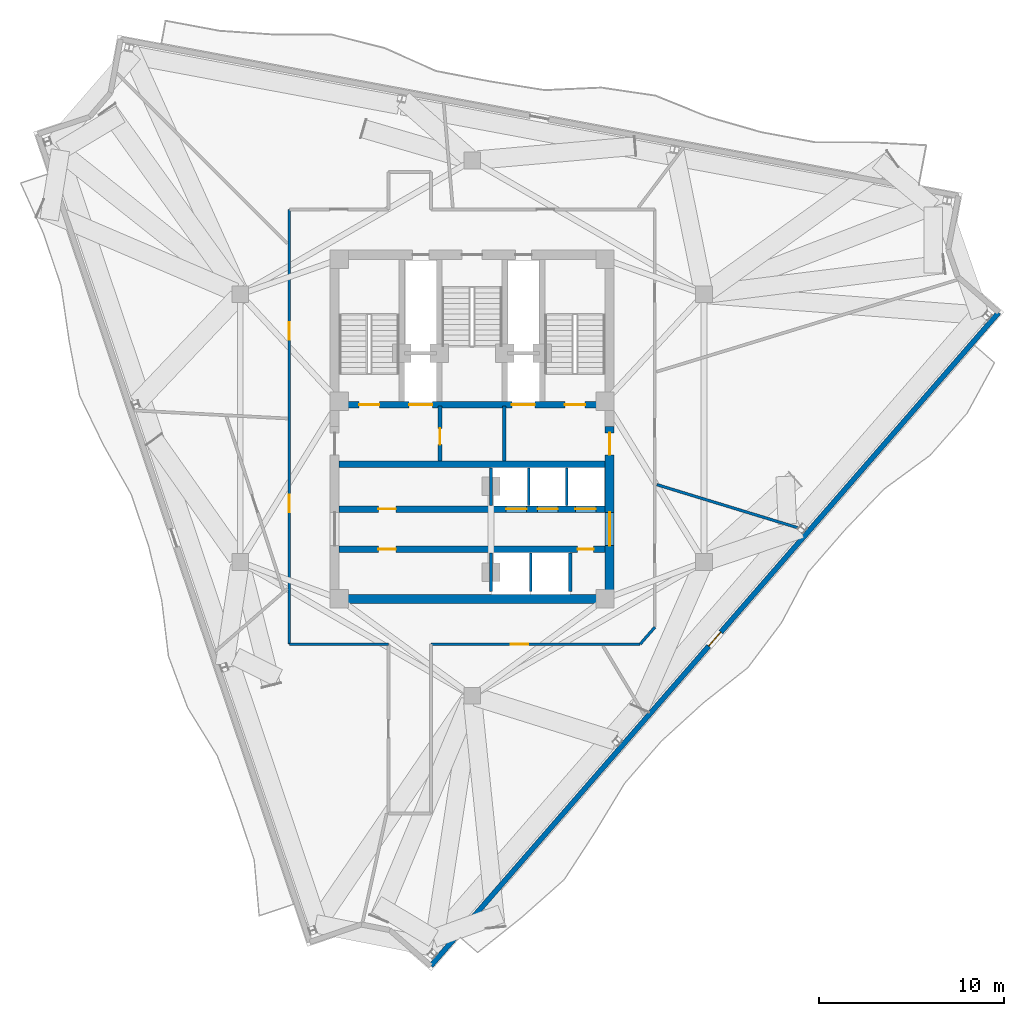
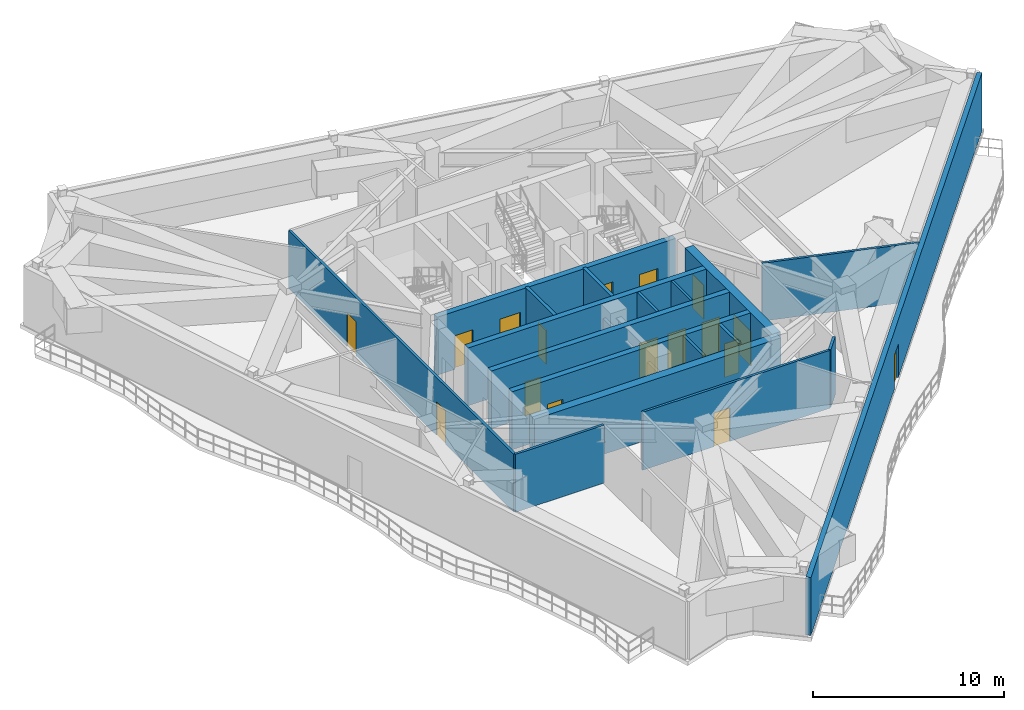
# One storey, part 5 of 10: 20 walls, 17 doors, 17 openings.
"""IFC4 building model written with IfcOpenShell, lengths in metres."""

import ifcopenshell
import ifcopenshell.guid

model = None  # the IFC model being written
_history = None  # IfcOwnerHistory: only IFC2X3 demands one
_inside = {}  # id of a spatial element -> (the spatial element, [elements in it])
_under = {}  # id of a project, library or spatial element -> (it, [spatial elements below it])
_declared = {}  # id of a project -> (the project, [libraries it declares])
_typed = {}  # id of a type object -> (the type object, [elements of that type])
_made_of = {}  # id of a material, layer set ... -> (it, [elements and type objects made of it])


def new_model(schema):
    """Start an empty IFC model of exactly this schema.

    Asked for "IFC4X3", IfcOpenShell would pick the latest addendum, in which some entities
    have other attributes; the version numbers below select the first issue.
    IFC2X3 requires an IfcOwnerHistory on every rooted entity: one is made here for all.
    """
    global model, _history
    if schema == "IFC4X3":
        model = ifcopenshell.file(schema_version=(4, 3, 0, 0))
    else:
        model = ifcopenshell.file(schema=schema)
    _inside.clear()
    _under.clear()
    _declared.clear()
    _typed.clear()
    _made_of.clear()
    _history = None
    if model.schema == "IFC2X3":
        org = make("IfcOrganization", Name="unknown")
        user = make(
            "IfcPersonAndOrganization",
            ThePerson=make("IfcPerson", FamilyName="unknown"),
            TheOrganization=org,
        )
        app = make(
            "IfcApplication",
            ApplicationDeveloper=org,
            Version="unknown",
            ApplicationFullName="unknown",
            ApplicationIdentifier="unknown",
        )
        _history = make(
            "IfcOwnerHistory",
            OwningUser=user,
            OwningApplication=app,
            ChangeAction="ADDED",
            CreationDate=0,
        )
    return model


def make(cls, **values):
    """One entity of the class cls with the attributes given. An attribute that is None is left unset."""
    return model.create_entity(
        cls, **{name: value for name, value in values.items() if value is not None}
    )


def rooted(cls, **values):
    """An entity with a GlobalId (a new one), such as an element, a storey or a relation."""
    return make(cls, GlobalId=ifcopenshell.guid.new(), OwnerHistory=_history, **values)


def si_unit(unit_type, name, prefix=None):
    """IfcSIUnit, for example si_unit("LENGTHUNIT", "METRE", prefix="MILLI")."""
    return make("IfcSIUnit", UnitType=unit_type, Prefix=prefix, Name=name)


def assignment(units):
    """IfcUnitAssignment: the units of a project."""
    return None if units is None else make("IfcUnitAssignment", Units=units)


def point(xyz):
    """IfcCartesianPoint."""
    return None if xyz is None else make("IfcCartesianPoint", Coordinates=xyz)


def direction(xyz):
    """IfcDirection."""
    return None if xyz is None else make("IfcDirection", DirectionRatios=xyz)


def frame(location, z_axis=None, x_axis=None):
    """IfcAxis2Placement3D, a coordinate frame: its origin and axes. An axis left out is left unset."""
    return make(
        "IfcAxis2Placement3D",
        Location=point(location),
        Axis=direction(z_axis),
        RefDirection=direction(x_axis),
    )


def frame_2d(location, x_axis=None):
    """IfcAxis2Placement2D, a coordinate frame in the plane: its origin and x axis."""
    return make(
        "IfcAxis2Placement2D", Location=point(location), RefDirection=direction(x_axis)
    )


def origin():
    """The frame at (0, 0, 0) with its axes left unset."""
    return frame((0.0, 0.0, 0.0))


def place(relative_to, where):
    """IfcLocalPlacement: puts the frame where relative to a parent placement (None: the world)."""
    return make(
        "IfcLocalPlacement", PlacementRelTo=relative_to, RelativePlacement=where
    )


def context(
    kind, dimensions, precision=None, world=None, true_north=None, identifier=None
):
    """IfcGeometricRepresentationContext, for example the 3D "Model" context."""
    return make(
        "IfcGeometricRepresentationContext",
        ContextIdentifier=identifier,
        ContextType=kind,
        CoordinateSpaceDimension=dimensions,
        Precision=precision,
        WorldCoordinateSystem=world,
        TrueNorth=true_north,
    )


def subcontext(parent, identifier, kind, view, scale=None):
    """IfcGeometricRepresentationSubContext, for example "Body" below "Model"."""
    return make(
        "IfcGeometricRepresentationSubContext",
        ContextIdentifier=identifier,
        ContextType=kind,
        ParentContext=parent,
        TargetScale=scale,
        TargetView=view,
    )


def project(units=None, contexts=None):
    """IfcProject with its units and contexts."""
    return rooted(
        "IfcProject",
        Name="project",
        RepresentationContexts=contexts,
        UnitsInContext=assignment(units),
    )


def spatial(cls, under=None, at=None, **own):
    """A site, building, storey or space (cls), placed at a placement, below another one or the project."""
    s = rooted(cls, ObjectPlacement=at, **own)
    if under is not None:
        _under.setdefault(under.id(), (under, []))[1].append(s)
    return s


def profile(cls, at=None, kind="AREA", **sizes):
    """A parametric profile (cls). Its sizes go by their IFC names, for example OverallWidth=200.0."""
    return make(cls, ProfileType=kind, Position=at, **sizes)


def rectangle(**sizes):
    """IfcRectangleProfileDef."""
    return profile("IfcRectangleProfileDef", **sizes)


def extrude(swept, where, along, depth):
    """IfcExtrudedAreaSolid: the profile swept, set in the frame where, extruded along a direction by depth."""
    return make(
        "IfcExtrudedAreaSolid",
        SweptArea=swept,
        Position=where,
        ExtrudedDirection=direction(along),
        Depth=depth,
    )


def shape(context_of_items, identifier, shape_type, items):
    """IfcShapeRepresentation: the items that make up one representation, for example the "Body"."""
    return make(
        "IfcShapeRepresentation",
        ContextOfItems=context_of_items,
        RepresentationIdentifier=identifier,
        RepresentationType=shape_type,
        Items=items,
    )


def material(Name=None, Category=None):
    """IfcMaterial."""
    return make("IfcMaterial", Name=Name, Category=Category)


def layer(
    of_material, thickness, ventilated=None, Name=None, Category=None, Priority=None
):
    """IfcMaterialLayer: one layer of a wall or slab, of a material (None: an air gap)."""
    return make(
        "IfcMaterialLayer",
        Material=of_material,
        LayerThickness=thickness,
        IsVentilated=ventilated,
        Name=Name,
        Category=Category,
        Priority=Priority,
    )


def layer_set(layers, Name=None):
    """IfcMaterialLayerSet."""
    return make("IfcMaterialLayerSet", MaterialLayers=layers, LayerSetName=Name)


def made_of(thing, what):
    """Note that an element or type object is made of a material, layer set ...; save() writes the relation."""
    if what is not None:
        _made_of.setdefault(what.id(), (what, []))[1].append(thing)
    return thing


def type_object(cls, material=None, **own):
    """A type object (cls), such as IfcWallType, which elements share."""
    return made_of(rooted(cls, **own), material)


def element(
    cls,
    number,
    at=None,
    inside=None,
    cuts=None,
    type_object=None,
    material=None,
    context=None,
    identifier="Body",
    shape_type=None,
    held_by="IfcProductDefinitionShape",
    body=None,
    shapes=None,
    **own,
):
    """One element of the class cls, such as IfcWall. Its Tag is "e" and its number.

    at: its placement. inside: the storey or other place that contains it. cuts: it is an
    opening in that element (IfcRelVoidsElement). A single representation is given by context,
    identifier, shape_type and body (its items); several are given by shapes. held_by: the class
    of the entity that holds the representations. save() writes the other relations.
    """
    e = rooted(cls, Tag="e%d" % number, ObjectPlacement=at, **own)
    if body is not None:
        shapes = [shape(context, identifier, shape_type, body)]
    if shapes is not None:
        e.Representation = make(held_by, Representations=shapes)
    if inside is not None:
        _inside.setdefault(inside.id(), (inside, []))[1].append(e)
    if cuts is not None:
        rooted(
            "IfcRelVoidsElement", RelatingBuildingElement=cuts, RelatedOpeningElement=e
        )
    if type_object is not None:
        _typed.setdefault(type_object.id(), (type_object, []))[1].append(e)
    return made_of(e, material)


def fill(opening, filler):
    """IfcRelFillsElement: the door or window that sits in an opening."""
    return rooted(
        "IfcRelFillsElement",
        RelatingOpeningElement=opening,
        RelatedBuildingElement=filler,
    )


def aggregate(whole, parts):
    """IfcRelAggregates: a whole, such as a stair, and the parts it consists of."""
    return rooted("IfcRelAggregates", RelatingObject=whole, RelatedObjects=parts)


def save(model, path):
    """Write the relations noted so far, then the file.

    IfcRelAggregates (storeys below a building ...), IfcRelContainedInSpatialStructure (elements
    in a storey), IfcRelDefinesByType, IfcRelAssociatesMaterial and IfcRelDeclares: one each for
    every whole, place, type object, material and project.
    """
    for whole, parts in _under.values():
        aggregate(whole, parts)
    for where, things in _inside.values():
        rooted(
            "IfcRelContainedInSpatialStructure",
            RelatedElements=things,
            RelatingStructure=where,
        )
    for kind, things in _typed.values():
        rooted("IfcRelDefinesByType", RelatedObjects=things, RelatingType=kind)
    for what, things in _made_of.values():
        rooted("IfcRelAssociatesMaterial", RelatedObjects=things, RelatingMaterial=what)
    for by, libraries in _declared.values():
        rooted("IfcRelDeclares", RelatingContext=by, RelatedDefinitions=libraries)
    model.write(path)


model = new_model("IFC4")

# Units and contexts
model_context = context("Model", 3, precision=1e-05, world=origin(), true_north=direction((0.0, 1.0)))
body_context = subcontext(model_context, "Body", "Model", "MODEL_VIEW")
ifc_project = project(units=[si_unit("LENGTHUNIT", "METRE"), si_unit("AREAUNIT", "SQUARE_METRE"), si_unit("VOLUMEUNIT", "CUBIC_METRE"), si_unit("PLANEANGLEUNIT", "RADIAN"), si_unit("MASSUNIT", "GRAM", prefix="KILO")], contexts=[model_context])

# Site, building, storey
site_placement = place(None, origin())
site = spatial("IfcSite", under=ifc_project, at=site_placement, CompositionType="ELEMENT")
building_placement = place(site_placement, origin())
building = spatial("IfcBuilding", under=site, at=building_placement, Name="Apsidion Concourse Tower", CompositionType="ELEMENT")
storey_placement = place(building_placement, frame((0.0, 0.0, 290.10009765625)))
storey = spatial("IfcBuildingStorey", under=building, at=storey_placement, Name="L68", CompositionType="ELEMENT", Elevation=290.10009765625)

# Wall, opening, door
ifc_material_1 = material(Name="Precast concrete C40/50", Category="concrete")
ifc_layer_1 = layer(ifc_material_1, 0.280029296875)
ifc_layer_set_1 = layer_set([ifc_layer_1], Name="Precast concrete C40/50")
wall_type_1 = type_object("IfcWallType", Name="WL-EXT-280", PredefinedType="STANDARD", material=ifc_layer_set_1)
wall_1_placement = place(storey_placement, frame((28.531494140625, 6.267578125, 0.0), z_axis=(0.0, 0.0, 1.0), x_axis=(-0.656055748756, -0.754712431674, 0.0)))
wall_1 = element("IfcWall", 1, at=wall_1_placement, inside=storey, type_object=wall_type_1, Name="L68 Precast Stone Facade Wall 05", PredefinedType="STANDARD", context=body_context, shape_type="SweptSolid", body=[
    extrude(rectangle(XDim=46.89697265625, YDim=0.280029296875, at=frame_2d((23.448486328125, 0.0))), origin(), (0.0, 0.0, 1.0), 3.699951171875),
])
opening_1_placement = place(wall_1_placement, frame((22.948486328125, 0.0, 0.0)))
opening_1 = element("IfcOpeningElement", 2, at=opening_1_placement, cuts=wall_1, Name="Opening D-T1R", PredefinedType="OPENING", context=body_context, shape_type="SweptSolid", body=[
    extrude(rectangle(XDim=1.0, YDim=2.14990234375, at=frame_2d((0.5, 1.074951171875))), frame((0.0, 0.14990234375, 0.0), z_axis=(0.0, -1.0, 0.0), x_axis=(1.0, 0.0, 0.0)), (0.0, 0.0, 1.0), 0.300048828125),
])
ifc_material_2 = material(Name="Anodised aluminium EN AW-6063 T6", Category="aluminium")
door_type_1 = type_object("IfcDoorType", Name="DR-TER-1022R", OperationType="SINGLE_SWING_RIGHT", PredefinedType="DOOR", material=ifc_material_2)
door_1_placement = place(opening_1_placement, origin())
door_1 = element("IfcDoor", 3, at=door_1_placement, inside=storey, type_object=door_type_1, Name="L68 Balcony Access Door 2", OperationType="SINGLE_SWING_RIGHT", OverallHeight=2.14990234375, OverallWidth=1.0, PredefinedType="DOOR", context=body_context, shape_type="SweptSolid", body=[
    extrude(rectangle(XDim=1.0, YDim=2.14990234375, at=frame_2d((0.5, 1.074951171875))), frame((0.0, 0.02490234375, 0.0), z_axis=(0.0, -1.0, 0.0), x_axis=(1.0, 0.0, 0.0)), (0.0, 0.0, 1.0), 0.050048828125),
])
fill(opening_1, door_1)

# Walls
ifc_material_3 = material(Name="Gypsum plasterboard partition")
ifc_layer_2 = layer(ifc_material_3, 0.14990234375)
ifc_layer_set_2 = layer_set([ifc_layer_2], Name="Gypsum plasterboard partition")
wall_type_2 = type_object("IfcWallType", Name="WL-INT-PAR-150", PredefinedType="PARTITIONING", material=ifc_layer_set_2)
for number, where, z_axis, x_axis, name in (
    (4, (3.074951171875, -4.179931640625, 0.0), (0.0, 0.0, 1.0), (0.0, 1.0, 0.0), "L68 Interior Partition WL-L68-B3DIV-1"),
    (5, (5.125, -4.179931640625, 0.0), (0.0, 0.0, 1.0), (0.0, 1.0, 0.0), "L68 Interior Partition WL-L68-B3DIV-2"),
):
    element("IfcWall", number, at=place(storey_placement, frame(where, z_axis=z_axis, x_axis=x_axis)), inside=storey, type_object=wall_type_2, Name=name, PredefinedType="PARTITIONING", context=body_context, shape_type="SweptSolid", body=[
        extrude(rectangle(XDim=2.030029296875, YDim=0.14990234375, at=frame_2d((1.01513671875, 0.0))), origin(), (0.0, 0.0, 1.0), 3.699951171875),
    ])
wall_2_placement = place(storey_placement, frame((3.175048828125, -8.85009765625, 0.0), z_axis=(0.0, 0.0, 1.0), x_axis=(0.0, 1.0, 0.0)))
element("IfcWall", 6, at=wall_2_placement, inside=storey, type_object=wall_type_2, Name="L68 Interior Partition WL-L68-SHDIV-1", PredefinedType="PARTITIONING", context=body_context, shape_type="SweptSolid", body=[
    extrude(rectangle(XDim=2.080078125, YDim=0.14990234375, at=frame_2d((1.0400390625, 0.0))), origin(), (0.0, 0.0, 1.0), 3.699951171875),
])
wall_3_placement = place(storey_placement, frame((-4.530029296875, -11.699951171875, 0.0), z_axis=(0.0, 0.0, 1.0), x_axis=(-1.0, 0.0, 0.0)))
element("IfcWall", 7, at=wall_3_placement, inside=storey, type_object=wall_type_2, Name="L68 Interior Partition WL-L68-CORR-01", PredefinedType="PARTITIONING", context=body_context, shape_type="SweptSolid", body=[
    extrude(rectangle(XDim=5.369873046875, YDim=0.14990234375, at=frame_2d((2.68505859375, 0.0))), origin(), (0.0, 0.0, 1.0), 3.699951171875),
])

# Wall, openings, doors
wall_4_placement = place(storey_placement, frame((-9.89990234375, -11.699951171875, 0.0), z_axis=(0.0, 0.0, 1.0), x_axis=(0.0, 1.0, 0.0)))
wall_4 = element("IfcWall", 8, at=wall_4_placement, inside=storey, type_object=wall_type_2, Name="L68 Interior Partition WL-L68-CORR-02", PredefinedType="PARTITIONING", context=body_context, shape_type="SweptSolid", body=[
    extrude(rectangle(XDim=23.550048828125, YDim=0.14990234375, at=frame_2d((11.77490234375, 0.0))), origin(), (0.0, 0.0, 1.0), 3.699951171875),
])
opening_2_placement = place(wall_4_placement, frame((7.136474609375, 0.0, 0.0)))
opening_2 = element("IfcOpeningElement", 9, at=opening_2_placement, cuts=wall_4, Name="Opening D-01L", PredefinedType="OPENING", context=body_context, shape_type="SweptSolid", body=[
    extrude(rectangle(XDim=0.949951171875, YDim=2.14990234375, at=frame_2d((0.47509765625, 1.074951171875))), frame((0.0, 0.0849609375, 0.0), z_axis=(0.0, -1.0, 0.0), x_axis=(1.0, 0.0, 0.0)), (0.0, 0.0, 1.0), 0.169921875),
])
opening_3_placement = place(wall_4_placement, frame((16.4951171875, 0.0, 0.0)))
opening_3 = element("IfcOpeningElement", 10, at=opening_3_placement, cuts=wall_4, Name="Opening D-01L", PredefinedType="OPENING", context=body_context, shape_type="SweptSolid", body=[
    extrude(rectangle(XDim=0.949951171875, YDim=2.14990234375, at=frame_2d((0.47509765625, 1.074951171875))), frame((0.0, 0.0849609375, 0.0), z_axis=(0.0, -1.0, 0.0), x_axis=(1.0, 0.0, 0.0)), (0.0, 0.0, 1.0), 0.169921875),
])
ifc_material_4 = material(Name="Brushed stainless steel 316", Category="steel")
door_type_2 = type_object("IfcDoorType", Name="DR-INT-D01L", OperationType="SINGLE_SWING_LEFT", PredefinedType="DOOR", material=ifc_material_4)
door_2_placement = place(opening_2_placement, origin())
door_2 = element("IfcDoor", 11, at=door_2_placement, inside=storey, type_object=door_type_2, Name="L68 Corridor Entry Door 01", OperationType="SINGLE_SWING_LEFT", OverallHeight=2.14990234375, OverallWidth=0.949951171875, PredefinedType="DOOR", context=body_context, shape_type="SweptSolid", body=[
    extrude(rectangle(XDim=0.949951171875, YDim=2.14990234375, at=frame_2d((0.47509765625, 1.074951171875))), frame((0.0, 0.02490234375, 0.0), z_axis=(0.0, -1.0, 0.0), x_axis=(1.0, 0.0, 0.0)), (0.0, 0.0, 1.0), 0.050048828125),
])
fill(opening_2, door_2)
door_3_placement = place(opening_3_placement, origin())
door_3 = element("IfcDoor", 12, at=door_3_placement, inside=storey, type_object=door_type_2, Name="L68 Corridor Entry Door 09", OperationType="SINGLE_SWING_LEFT", OverallHeight=2.14990234375, OverallWidth=0.949951171875, PredefinedType="DOOR", context=body_context, shape_type="SweptSolid", body=[
    extrude(rectangle(XDim=0.949951171875, YDim=2.14990234375, at=frame_2d((0.47509765625, 1.074951171875))), frame((0.0, 0.02490234375, 0.0), z_axis=(0.0, -1.0, 0.0), x_axis=(1.0, 0.0, 0.0)), (0.0, 0.0, 1.0), 0.050048828125),
])
fill(opening_3, door_3)

# Wall
wall_5_placement = place(storey_placement, frame((9.89990234375, -10.783447265625, 0.0), z_axis=(0.0, 0.0, 1.0), x_axis=(-0.656024397367, -0.754739683639, 0.0)))
element("IfcWall", 13, at=wall_5_placement, inside=storey, type_object=wall_type_2, Name="L68 Interior Partition WL-L68-CORR-09", PredefinedType="PARTITIONING", context=body_context, shape_type="SweptSolid", body=[
    extrude(rectangle(XDim=1.21435546875, YDim=0.14990234375, at=frame_2d((0.607177734375, 0.0))), origin(), (0.0, 0.0, 1.0), 3.699951171875),
])

# Wall, opening, door
wall_6_placement = place(storey_placement, frame((9.103271484375, -11.699951171875, 0.0), z_axis=(0.0, 0.0, 1.0), x_axis=(-1.0, 0.0, 0.0)))
wall_6 = element("IfcWall", 14, at=wall_6_placement, inside=storey, type_object=wall_type_2, Name="L68 Interior Partition WL-L68-CORR-10", PredefinedType="PARTITIONING", context=body_context, shape_type="SweptSolid", body=[
    extrude(rectangle(XDim=11.3232421875, YDim=0.14990234375, at=frame_2d((5.66162109375, 0.0))), origin(), (0.0, 0.0, 1.0), 3.699951171875),
])
opening_4_placement = place(wall_6_placement, frame((6.068603515625, 0.0, 0.0)))
opening_4 = element("IfcOpeningElement", 15, at=opening_4_placement, cuts=wall_6, Name="Opening D-01L", PredefinedType="OPENING", context=body_context, shape_type="SweptSolid", body=[
    extrude(rectangle(XDim=0.949951171875, YDim=2.14990234375, at=frame_2d((0.47509765625, 1.074951171875))), frame((0.0, 0.0849609375, 0.0), z_axis=(0.0, -1.0, 0.0), x_axis=(1.0, 0.0, 0.0)), (0.0, 0.0, 1.0), 0.169921875),
])
door_4_placement = place(opening_4_placement, origin())
door_4 = element("IfcDoor", 16, at=door_4_placement, inside=storey, type_object=door_type_2, Name="L68 Corridor Entry Door 03", OperationType="SINGLE_SWING_LEFT", OverallHeight=2.14990234375, OverallWidth=0.949951171875, PredefinedType="DOOR", context=body_context, shape_type="SweptSolid", body=[
    extrude(rectangle(XDim=0.949951171875, YDim=2.14990234375, at=frame_2d((0.47509765625, 1.074951171875))), frame((0.0, 0.02490234375, 0.0), z_axis=(0.0, -1.0, 0.0), x_axis=(1.0, 0.0, 0.0)), (0.0, 0.0, 1.0), 0.050048828125),
])
fill(opening_4, door_4)

# Walls
wall_7_placement = place(storey_placement, frame((10.0048828125, -3.058837890625, 0.0), z_axis=(0.0, 0.0, 1.0), x_axis=(0.956307313921, -0.292363337887, 0.0)))
element("IfcWall", 17, at=wall_7_placement, inside=storey, type_object=wall_type_2, Name="L68 Interior Partition WL-L68-RAD-09-1", PredefinedType="PARTITIONING", context=body_context, shape_type="SweptSolid", body=[
    extrude(rectangle(XDim=8.438232421875, YDim=0.14990234375, at=frame_2d((4.21923828125, 0.0))), origin(), (0.0, 0.0, 1.0), 3.699951171875),
])
ifc_layer_3 = layer(ifc_material_3, 0.179931640625)
ifc_layer_set_3 = layer_set([ifc_layer_3], Name="Gypsum plasterboard partition")
wall_type_3 = type_object("IfcWallType", Name="WL-INT-PAR-180", PredefinedType="PARTITIONING", material=ifc_layer_set_3)
wall_8_placement = place(storey_placement, frame((1.02490234375, -4.179931640625, 0.0), z_axis=(0.0, 0.0, 1.0), x_axis=(0.0, 1.0, 0.0)))
element("IfcWall", 18, at=wall_8_placement, inside=storey, type_object=wall_type_3, Name="L68 Interior Partition WL-L68-B1END", PredefinedType="PARTITIONING", context=body_context, shape_type="SweptSolid", body=[
    extrude(rectangle(XDim=2.030029296875, YDim=0.179931640625, at=frame_2d((1.01513671875, 0.0))), origin(), (0.0, 0.0, 1.0), 2.747802734375),
])
wall_9_placement = place(storey_placement, frame((1.02490234375, -8.85009765625, 0.0), z_axis=(0.0, 0.0, 1.0), x_axis=(0.0, 1.0, 0.0)))
element("IfcWall", 19, at=wall_9_placement, inside=storey, type_object=wall_type_3, Name="L68 Interior Partition WL-L68-B2END", PredefinedType="PARTITIONING", context=body_context, shape_type="SweptSolid", body=[
    extrude(rectangle(XDim=2.080078125, YDim=0.179931640625, at=frame_2d((1.0400390625, 0.0))), origin(), (0.0, 0.0, 1.0), 2.747802734375),
])
wall_10_placement = place(storey_placement, frame((5.324951171875, -8.85009765625, 0.0), z_axis=(0.0, 0.0, 1.0), x_axis=(0.0, 1.0, 0.0)))
element("IfcWall", 20, at=wall_10_placement, inside=storey, type_object=wall_type_3, Name="L68 Interior Partition WL-L68-SHDIV-2", PredefinedType="PARTITIONING", context=body_context, shape_type="SweptSolid", body=[
    extrude(rectangle(XDim=2.080078125, YDim=0.179931640625, at=frame_2d((1.0400390625, 0.0))), origin(), (0.0, 0.0, 1.0), 3.699951171875),
])

# Wall, opening, door
ifc_layer_4 = layer(ifc_material_3, 0.199951171875)
ifc_layer_set_4 = layer_set([ifc_layer_4], Name="Gypsum plasterboard partition")
wall_type_4 = type_object("IfcWallType", Name="WL-INT-PAR-200", PredefinedType="PARTITIONING", material=ifc_layer_set_4)
wall_11_placement = place(storey_placement, frame((-1.739990234375, -1.780029296875, 0.0), z_axis=(0.0, 0.0, 1.0), x_axis=(0.0, 1.0, 0.0)))
wall_11 = element("IfcWall", 21, at=wall_11_placement, inside=storey, type_object=wall_type_4, Name="L68 Interior Partition WL-L68-FF1-E", PredefinedType="PARTITIONING", context=body_context, shape_type="SweptSolid", body=[
    extrude(rectangle(XDim=2.97998046875, YDim=0.199951171875, at=frame_2d((1.489990234375, 0.0))), origin(), (0.0, 0.0, 1.0), 3.699951171875),
])
opening_5_placement = place(wall_11_placement, frame((0.889892578125, 0.0, 0.0)))
opening_5 = element("IfcOpeningElement", 22, at=opening_5_placement, cuts=wall_11, Name="Opening D-05R", PredefinedType="OPENING", context=body_context, shape_type="SweptSolid", body=[
    extrude(rectangle(XDim=0.8798828125, YDim=2.14990234375, at=frame_2d((0.43994140625, 1.074951171875))), frame((0.0, 0.10986328125, 0.0), z_axis=(0.0, -1.0, 0.0), x_axis=(1.0, 0.0, 0.0)), (0.0, 0.0, 1.0), 0.219970703125),
])
door_type_3 = type_object("IfcDoorType", Name="DR-INT-D05R", OperationType="SINGLE_SWING_RIGHT", PredefinedType="DOOR", material=ifc_material_4)
door_5_placement = place(opening_5_placement, origin())
door_5 = element("IfcDoor", 23, at=door_5_placement, inside=storey, type_object=door_type_3, Name="L68 Core BMS Door", OperationType="SINGLE_SWING_RIGHT", OverallHeight=2.14990234375, OverallWidth=0.8798828125, PredefinedType="DOOR", context=body_context, shape_type="SweptSolid", body=[
    extrude(rectangle(XDim=0.8798828125, YDim=2.14990234375, at=frame_2d((0.43994140625, 1.074951171875))), frame((0.0, 0.02490234375, 0.0), z_axis=(0.0, -1.0, 0.0), x_axis=(1.0, 0.0, 0.0)), (0.0, 0.0, 1.0), 0.050048828125),
])
fill(opening_5, door_5)

# Wall
wall_12_placement = place(storey_placement, frame((1.739990234375, -1.780029296875, 0.0), z_axis=(0.0, 0.0, 1.0), x_axis=(0.0, 1.0, 0.0)))
element("IfcWall", 24, at=wall_12_placement, inside=storey, type_object=wall_type_4, Name="L68 Interior Partition WL-L68-FF2-W", PredefinedType="PARTITIONING", context=body_context, shape_type="SweptSolid", body=[
    extrude(rectangle(XDim=2.97998046875, YDim=0.199951171875, at=frame_2d((1.489990234375, 0.0))), origin(), (0.0, 0.0, 1.0), 3.699951171875),
])

# Wall, openings, doors
ifc_material_5 = material(Name="Concrete C50/60", Category="concrete")
ifc_layer_5 = layer(ifc_material_5, 0.35009765625)
ifc_layer_set_5 = layer_set([ifc_layer_5], Name="Concrete C50/60")
wall_type_5 = type_object("IfcWallType", Name="WL-SH-350", PredefinedType="SHEAR", material=ifc_layer_set_5)
wall_13_placement = place(storey_placement, frame((-7.199951171875, 1.27490234375, 0.0), z_axis=(0.0, 0.0, 1.0), x_axis=(1.0, 0.0, 0.0)))
wall_13 = element("IfcWall", 25, at=wall_13_placement, inside=storey, type_object=wall_type_5, Name="L68 Central Core Shear Wall M1", PredefinedType="SHEAR", context=body_context, shape_type="SweptSolid", body=[
    extrude(rectangle(XDim=14.39990234375, YDim=0.35009765625, at=frame_2d((7.199951171875, 0.0))), origin(), (0.0, 0.0, 1.0), 3.699951171875),
])
opening_6_placement = place(wall_13_placement, frame((3.794921875, 0.0, 0.0)))
opening_6 = element("IfcOpeningElement", 26, at=opening_6_placement, cuts=wall_13, Name="Opening LD-FF", PredefinedType="OPENING", context=body_context, shape_type="SweptSolid", body=[
    extrude(rectangle(XDim=1.25, YDim=2.25, at=frame_2d((0.625, 1.125))), frame((0.0, 0.18505859375, 0.0), z_axis=(0.0, -1.0, 0.0), x_axis=(1.0, 0.0, 0.0)), (0.0, 0.0, 1.0), 0.3701171875),
])
opening_7_placement = place(wall_13_placement, frame((9.35498046875, 0.0, 0.0)))
opening_7 = element("IfcOpeningElement", 27, at=opening_7_placement, cuts=wall_13, Name="Opening LD-FF", PredefinedType="OPENING", context=body_context, shape_type="SweptSolid", body=[
    extrude(rectangle(XDim=1.25, YDim=2.25, at=frame_2d((0.625, 1.125))), frame((0.0, 0.18505859375, 0.0), z_axis=(0.0, -1.0, 0.0), x_axis=(1.0, 0.0, 0.0)), (0.0, 0.0, 1.0), 0.3701171875),
])
opening_8_placement = place(wall_13_placement, frame((1.074951171875, 0.0, 0.0)))
opening_8 = element("IfcOpeningElement", 28, at=opening_8_placement, cuts=wall_13, Name="Opening D-STL", PredefinedType="OPENING", context=body_context, shape_type="SweptSolid", body=[
    extrude(rectangle(XDim=1.10009765625, YDim=2.14990234375, at=frame_2d((0.550048828125, 1.074951171875))), frame((0.0, 0.18505859375, 0.0), z_axis=(0.0, -1.0, 0.0), x_axis=(1.0, 0.0, 0.0)), (0.0, 0.0, 1.0), 0.3701171875),
])
opening_9_placement = place(wall_13_placement, frame((12.22509765625, 0.0, 0.0)))
opening_9 = element("IfcOpeningElement", 29, at=opening_9_placement, cuts=wall_13, Name="Opening D-STR", PredefinedType="OPENING", context=body_context, shape_type="SweptSolid", body=[
    extrude(rectangle(XDim=1.10009765625, YDim=2.14990234375, at=frame_2d((0.550048828125, 1.074951171875))), frame((0.0, 0.18505859375, 0.0), z_axis=(0.0, -1.0, 0.0), x_axis=(1.0, 0.0, 0.0)), (0.0, 0.0, 1.0), 0.3701171875),
])
door_type_4 = type_object("IfcDoorType", Name="DR-INT-ST1L", OperationType="SINGLE_SWING_LEFT", PredefinedType="DOOR", material=ifc_material_4)
door_6_placement = place(opening_8_placement, origin())
door_6 = element("IfcDoor", 30, at=door_6_placement, inside=storey, type_object=door_type_4, Name="L68 Core Exit Stair ST1 Door", OperationType="SINGLE_SWING_LEFT", OverallHeight=2.14990234375, OverallWidth=1.10009765625, PredefinedType="DOOR", context=body_context, shape_type="SweptSolid", body=[
    extrude(rectangle(XDim=1.10009765625, YDim=2.14990234375, at=frame_2d((0.550048828125, 1.074951171875))), frame((0.0, 0.02490234375, 0.0), z_axis=(0.0, -1.0, 0.0), x_axis=(1.0, 0.0, 0.0)), (0.0, 0.0, 1.0), 0.050048828125),
])
fill(opening_8, door_6)
door_type_5 = type_object("IfcDoorType", Name="DR-INT-ST1R", OperationType="SINGLE_SWING_RIGHT", PredefinedType="DOOR", material=ifc_material_4)
door_7_placement = place(opening_9_placement, origin())
door_7 = element("IfcDoor", 31, at=door_7_placement, inside=storey, type_object=door_type_5, Name="L68 Core Exit Stair ST2 Door", OperationType="SINGLE_SWING_RIGHT", OverallHeight=2.14990234375, OverallWidth=1.10009765625, PredefinedType="DOOR", context=body_context, shape_type="SweptSolid", body=[
    extrude(rectangle(XDim=1.10009765625, YDim=2.14990234375, at=frame_2d((0.550048828125, 1.074951171875))), frame((0.0, 0.02490234375, 0.0), z_axis=(0.0, -1.0, 0.0), x_axis=(1.0, 0.0, 0.0)), (0.0, 0.0, 1.0), 0.050048828125),
])
fill(opening_9, door_7)
door_type_6 = type_object("IfcDoorType", Name="DR-LD-FSAE", OperationType="DOUBLE_DOOR_SLIDING", PredefinedType="DOOR", material=ifc_material_4)
door_8_placement = place(opening_6_placement, origin())
door_8 = element("IfcDoor", 32, at=door_8_placement, inside=storey, type_object=door_type_6, Name="L68 Lift Landing Door FF1", OperationType="DOUBLE_DOOR_SLIDING", OverallHeight=2.25, OverallWidth=1.25, PredefinedType="DOOR", context=body_context, shape_type="SweptSolid", body=[
    extrude(rectangle(XDim=1.25, YDim=2.25, at=frame_2d((0.625, 1.125))), frame((0.0, 0.02490234375, 0.0), z_axis=(0.0, -1.0, 0.0), x_axis=(1.0, 0.0, 0.0)), (0.0, 0.0, 1.0), 0.050048828125),
])
fill(opening_6, door_8)
door_9_placement = place(opening_7_placement, origin())
door_9 = element("IfcDoor", 33, at=door_9_placement, inside=storey, type_object=door_type_6, Name="L68 Lift Landing Door FF2", OperationType="DOUBLE_DOOR_SLIDING", OverallHeight=2.25, OverallWidth=1.25, PredefinedType="DOOR", context=body_context, shape_type="SweptSolid", body=[
    extrude(rectangle(XDim=1.25, YDim=2.25, at=frame_2d((0.625, 1.125))), frame((0.0, 0.02490234375, 0.0), z_axis=(0.0, -1.0, 0.0), x_axis=(1.0, 0.0, 0.0)), (0.0, 0.0, 1.0), 0.050048828125),
])
fill(opening_7, door_9)

# Wall
wall_14_placement = place(storey_placement, frame((-7.199951171875, -1.949951171875, 0.0), z_axis=(0.0, 0.0, 1.0), x_axis=(1.0, 0.0, 0.0)))
element("IfcWall", 34, at=wall_14_placement, inside=storey, type_object=wall_type_5, Name="L68 Central Core Shear Wall M2", PredefinedType="SHEAR", context=body_context, shape_type="SweptSolid", body=[
    extrude(rectangle(XDim=14.39990234375, YDim=0.35009765625, at=frame_2d((7.199951171875, 0.0))), origin(), (0.0, 0.0, 1.0), 3.699951171875),
])

# Wall, openings, doors
wall_15_placement = place(storey_placement, frame((-7.199951171875, -4.3798828125, 0.0), z_axis=(0.0, 0.0, 1.0), x_axis=(1.0, 0.0, 0.0)))
wall_15 = element("IfcWall", 35, at=wall_15_placement, inside=storey, type_object=wall_type_5, Name="L68 Central Core Shear Wall LA", PredefinedType="SHEAR", context=body_context, shape_type="SweptSolid", body=[
    extrude(rectangle(XDim=14.39990234375, YDim=0.35009765625, at=frame_2d((7.199951171875, 0.0))), origin(), (0.0, 0.0, 1.0), 3.699951171875),
])
opening_10_placement = place(wall_15_placement, frame((9.050048828125, 0.0, 0.0)))
opening_10 = element("IfcOpeningElement", 36, at=opening_10_placement, cuts=wall_15, Name="Opening LD-P1", PredefinedType="OPENING", context=body_context, shape_type="SweptSolid", body=[
    extrude(rectangle(XDim=1.10009765625, YDim=2.199951171875, at=frame_2d((0.550048828125, 1.10009765625))), frame((0.0, 0.18505859375, 0.0), z_axis=(0.0, -1.0, 0.0), x_axis=(1.0, 0.0, 0.0)), (0.0, 0.0, 1.0), 0.3701171875),
])
opening_11_placement = place(wall_15_placement, frame((10.75, 0.0, 0.0)))
opening_11 = element("IfcOpeningElement", 37, at=opening_11_placement, cuts=wall_15, Name="Opening LD-P1", PredefinedType="OPENING", context=body_context, shape_type="SweptSolid", body=[
    extrude(rectangle(XDim=1.10009765625, YDim=2.199951171875, at=frame_2d((0.550048828125, 1.10009765625))), frame((0.0, 0.18505859375, 0.0), z_axis=(0.0, -1.0, 0.0), x_axis=(1.0, 0.0, 0.0)), (0.0, 0.0, 1.0), 0.3701171875),
])
opening_12_placement = place(wall_15_placement, frame((12.800048828125, 0.0, 0.0)))
opening_12 = element("IfcOpeningElement", 38, at=opening_12_placement, cuts=wall_15, Name="Opening LD-P1", PredefinedType="OPENING", context=body_context, shape_type="SweptSolid", body=[
    extrude(rectangle(XDim=1.10009765625, YDim=2.199951171875, at=frame_2d((0.550048828125, 1.10009765625))), frame((0.0, 0.18505859375, 0.0), z_axis=(0.0, -1.0, 0.0), x_axis=(1.0, 0.0, 0.0)), (0.0, 0.0, 1.0), 0.3701171875),
])
opening_13_placement = place(wall_15_placement, frame((2.125, 0.0, 0.0)))
opening_13 = element("IfcOpeningElement", 39, at=opening_13_placement, cuts=wall_15, Name="Opening D-04L", PredefinedType="OPENING", context=body_context, shape_type="SweptSolid", body=[
    extrude(rectangle(XDim=0.949951171875, YDim=2.14990234375, at=frame_2d((0.47509765625, 1.074951171875))), frame((0.0, 0.18505859375, 0.0), z_axis=(0.0, -1.0, 0.0), x_axis=(1.0, 0.0, 0.0)), (0.0, 0.0, 1.0), 0.3701171875),
])
door_type_7 = type_object("IfcDoorType", Name="DR-INT-D04L", OperationType="SINGLE_SWING_LEFT", PredefinedType="DOOR", material=ifc_material_4)
door_10_placement = place(opening_13_placement, origin())
door_10 = element("IfcDoor", 40, at=door_10_placement, inside=storey, type_object=door_type_7, Name="L68 Tenant Archive and Print Room Door", OperationType="SINGLE_SWING_LEFT", OverallHeight=2.14990234375, OverallWidth=0.949951171875, PredefinedType="DOOR", context=body_context, shape_type="SweptSolid", body=[
    extrude(rectangle(XDim=0.949951171875, YDim=2.14990234375, at=frame_2d((0.47509765625, 1.074951171875))), frame((0.0, 0.02490234375, 0.0), z_axis=(0.0, -1.0, 0.0), x_axis=(1.0, 0.0, 0.0)), (0.0, 0.0, 1.0), 0.050048828125),
])
fill(opening_13, door_10)
door_type_8 = type_object("IfcDoorType", Name="DR-LD-PASS", OperationType="DOUBLE_DOOR_SLIDING", PredefinedType="DOOR", material=ifc_material_4)
door_11_placement = place(opening_10_placement, origin())
door_11 = element("IfcDoor", 41, at=door_11_placement, inside=storey, type_object=door_type_8, Name="L68 Lift Landing Door P9", OperationType="DOUBLE_DOOR_SLIDING", OverallHeight=2.199951171875, OverallWidth=1.10009765625, PredefinedType="DOOR", context=body_context, shape_type="SweptSolid", body=[
    extrude(rectangle(XDim=1.10009765625, YDim=2.199951171875, at=frame_2d((0.550048828125, 1.10009765625))), frame((0.0, 0.02490234375, 0.0), z_axis=(0.0, -1.0, 0.0), x_axis=(1.0, 0.0, 0.0)), (0.0, 0.0, 1.0), 0.050048828125),
])
fill(opening_10, door_11)
door_12_placement = place(opening_11_placement, origin())
door_12 = element("IfcDoor", 42, at=door_12_placement, inside=storey, type_object=door_type_8, Name="L68 Lift Landing Door P10", OperationType="DOUBLE_DOOR_SLIDING", OverallHeight=2.199951171875, OverallWidth=1.10009765625, PredefinedType="DOOR", context=body_context, shape_type="SweptSolid", body=[
    extrude(rectangle(XDim=1.10009765625, YDim=2.199951171875, at=frame_2d((0.550048828125, 1.10009765625))), frame((0.0, 0.02490234375, 0.0), z_axis=(0.0, -1.0, 0.0), x_axis=(1.0, 0.0, 0.0)), (0.0, 0.0, 1.0), 0.050048828125),
])
fill(opening_11, door_12)
door_13_placement = place(opening_12_placement, origin())
door_13 = element("IfcDoor", 43, at=door_13_placement, inside=storey, type_object=door_type_8, Name="L68 Lift Landing Door P11", OperationType="DOUBLE_DOOR_SLIDING", OverallHeight=2.199951171875, OverallWidth=1.10009765625, PredefinedType="DOOR", context=body_context, shape_type="SweptSolid", body=[
    extrude(rectangle(XDim=1.10009765625, YDim=2.199951171875, at=frame_2d((0.550048828125, 1.10009765625))), frame((0.0, 0.02490234375, 0.0), z_axis=(0.0, -1.0, 0.0), x_axis=(1.0, 0.0, 0.0)), (0.0, 0.0, 1.0), 0.050048828125),
])
fill(opening_12, door_13)

wall_16_placement = place(storey_placement, frame((-7.199951171875, -6.570068359375, 0.0), z_axis=(0.0, 0.0, 1.0), x_axis=(1.0, 0.0, 0.0)))
wall_16 = element("IfcWall", 44, at=wall_16_placement, inside=storey, type_object=wall_type_5, Name="L68 Central Core Shear Wall LB", PredefinedType="SHEAR", context=body_context, shape_type="SweptSolid", body=[
    extrude(rectangle(XDim=14.39990234375, YDim=0.35009765625, at=frame_2d((7.199951171875, 0.0))), origin(), (0.0, 0.0, 1.0), 3.699951171875),
])
opening_14_placement = place(wall_16_placement, frame((2.125, 0.0, 0.0)))
opening_14 = element("IfcOpeningElement", 45, at=opening_14_placement, cuts=wall_16, Name="Opening D-04R", PredefinedType="OPENING", context=body_context, shape_type="SweptSolid", body=[
    extrude(rectangle(XDim=0.949951171875, YDim=2.14990234375, at=frame_2d((0.47509765625, 1.074951171875))), frame((0.0, 0.18505859375, 0.0), z_axis=(0.0, -1.0, 0.0), x_axis=(1.0, 0.0, 0.0)), (0.0, 0.0, 1.0), 0.3701171875),
])
opening_15_placement = place(wall_16_placement, frame((12.909912109375, 0.0, 0.0)))
opening_15 = element("IfcOpeningElement", 46, at=opening_15_placement, cuts=wall_16, Name="Opening D-05L", PredefinedType="OPENING", context=body_context, shape_type="SweptSolid", body=[
    extrude(rectangle(XDim=0.8798828125, YDim=2.14990234375, at=frame_2d((0.43994140625, 1.074951171875))), frame((0.0, 0.18505859375, 0.0), z_axis=(0.0, -1.0, 0.0), x_axis=(1.0, 0.0, 0.0)), (0.0, 0.0, 1.0), 0.3701171875),
])
door_type_9 = type_object("IfcDoorType", Name="DR-INT-D04R", OperationType="SINGLE_SWING_RIGHT", PredefinedType="DOOR", material=ifc_material_4)
door_14_placement = place(opening_14_placement, origin())
door_14 = element("IfcDoor", 47, at=door_14_placement, inside=storey, type_object=door_type_9, Name="L68 Executive Catering Pantry Door", OperationType="SINGLE_SWING_RIGHT", OverallHeight=2.14990234375, OverallWidth=0.949951171875, PredefinedType="DOOR", context=body_context, shape_type="SweptSolid", body=[
    extrude(rectangle(XDim=0.949951171875, YDim=2.14990234375, at=frame_2d((0.47509765625, 1.074951171875))), frame((0.0, 0.02490234375, 0.0), z_axis=(0.0, -1.0, 0.0), x_axis=(1.0, 0.0, 0.0)), (0.0, 0.0, 1.0), 0.050048828125),
])
fill(opening_14, door_14)
door_type_10 = type_object("IfcDoorType", Name="DR-INT-D05L", OperationType="SINGLE_SWING_LEFT", PredefinedType="DOOR", material=ifc_material_4)
door_15_placement = place(opening_15_placement, origin())
door_15 = element("IfcDoor", 48, at=door_15_placement, inside=storey, type_object=door_type_10, Name="L68 Cleaners Store Door", OperationType="SINGLE_SWING_LEFT", OverallHeight=2.14990234375, OverallWidth=0.8798828125, PredefinedType="DOOR", context=body_context, shape_type="SweptSolid", body=[
    extrude(rectangle(XDim=0.8798828125, YDim=2.14990234375, at=frame_2d((0.43994140625, 1.074951171875))), frame((0.0, 0.02490234375, 0.0), z_axis=(0.0, -1.0, 0.0), x_axis=(1.0, 0.0, 0.0)), (0.0, 0.0, 1.0), 0.050048828125),
])
fill(opening_15, door_15)

ifc_layer_6 = layer(ifc_material_5, 0.5)
ifc_layer_set_6 = layer_set([ifc_layer_6], Name="Concrete C50/60")
wall_type_6 = type_object("IfcWallType", Name="WL-SH-500", PredefinedType="SHEAR", material=ifc_layer_set_6)
wall_17_placement = place(storey_placement, frame((7.449951171875, -9.0, 0.0), z_axis=(0.0, 0.0, 1.0), x_axis=(0.0, 1.0, 0.0)))
wall_17 = element("IfcWall", 49, at=wall_17_placement, inside=storey, type_object=wall_type_6, Name="L68 Central Core Shear Wall ES", PredefinedType="SHEAR", context=body_context, shape_type="SweptSolid", body=[
    extrude(rectangle(XDim=9.10009765625, YDim=0.5, at=frame_2d((4.550048828125, 0.0))), origin(), (0.0, 0.0, 1.0), 3.699951171875),
])
opening_16_placement = place(wall_17_placement, frame((2.639892578125, 0.0, 0.0)))
opening_16 = element("IfcOpeningElement", 50, at=opening_16_placement, cuts=wall_17, Name="Opening D-06D", PredefinedType="OPENING", context=body_context, shape_type="SweptSolid", body=[
    extrude(rectangle(XDim=1.800048828125, YDim=2.199951171875, at=frame_2d((0.89990234375, 1.10009765625))), frame((0.0, 0.260009765625, 0.0), z_axis=(0.0, -1.0, 0.0), x_axis=(1.0, 0.0, 0.0)), (0.0, 0.0, 1.0), 0.52001953125),
])
opening_17_placement = place(wall_17_placement, frame((7.550048828125, 0.0, 0.0)))
opening_17 = element("IfcOpeningElement", 51, at=opening_17_placement, cuts=wall_17, Name="Opening D-FFR", PredefinedType="OPENING", context=body_context, shape_type="SweptSolid", body=[
    extrude(rectangle(XDim=1.199951171875, YDim=2.14990234375, at=frame_2d((0.60009765625, 1.074951171875))), frame((0.0, 0.260009765625, 0.0), z_axis=(0.0, -1.0, 0.0), x_axis=(1.0, 0.0, 0.0)), (0.0, 0.0, 1.0), 0.52001953125),
])
door_type_11 = type_object("IfcDoorType", Name="DR-INT-D06D", OperationType="DOUBLE_DOOR_SINGLE_SWING", PredefinedType="DOOR", material=ifc_material_4)
door_16_placement = place(opening_16_placement, origin())
door_16 = element("IfcDoor", 52, at=door_16_placement, inside=storey, type_object=door_type_11, Name="L68 Passenger Lift Lobby ES Portal Door", OperationType="DOUBLE_DOOR_SINGLE_SWING", OverallHeight=2.199951171875, OverallWidth=1.800048828125, PredefinedType="DOOR", context=body_context, shape_type="SweptSolid", body=[
    extrude(rectangle(XDim=1.800048828125, YDim=2.199951171875, at=frame_2d((0.89990234375, 1.10009765625))), frame((0.0, 0.02490234375, 0.0), z_axis=(0.0, -1.0, 0.0), x_axis=(1.0, 0.0, 0.0)), (0.0, 0.0, 1.0), 0.050048828125),
])
fill(opening_16, door_16)
door_type_12 = type_object("IfcDoorType", Name="DR-INT-FFR", OperationType="SINGLE_SWING_RIGHT", PredefinedType="DOOR", material=ifc_material_4)
door_17_placement = place(opening_17_placement, origin())
door_17 = element("IfcDoor", 53, at=door_17_placement, inside=storey, type_object=door_type_12, Name="L68 Firefighting Lift Lobby FF2 Door", OperationType="SINGLE_SWING_RIGHT", OverallHeight=2.14990234375, OverallWidth=1.199951171875, PredefinedType="DOOR", context=body_context, shape_type="SweptSolid", body=[
    extrude(rectangle(XDim=1.199951171875, YDim=2.14990234375, at=frame_2d((0.60009765625, 1.074951171875))), frame((0.0, 0.02490234375, 0.0), z_axis=(0.0, -1.0, 0.0), x_axis=(1.0, 0.0, 0.0)), (0.0, 0.0, 1.0), 0.050048828125),
])
fill(opening_17, door_17)

# Wall
wall_18_placement = place(storey_placement, frame((-7.449951171875, -9.25, 0.0), z_axis=(0.0, 0.0, 1.0), x_axis=(1.0, 0.0, 0.0)))
element("IfcWall", 54, at=wall_18_placement, inside=storey, type_object=wall_type_6, Name="L68 Central Core Shear Wall S", PredefinedType="SHEAR", context=body_context, shape_type="SweptSolid", body=[
    extrude(rectangle(XDim=14.89990234375, YDim=0.5, at=frame_2d((7.449951171875, 0.0))), origin(), (0.0, 0.0, 1.0), 3.699951171875),
])

save(model, "model.ifc")
